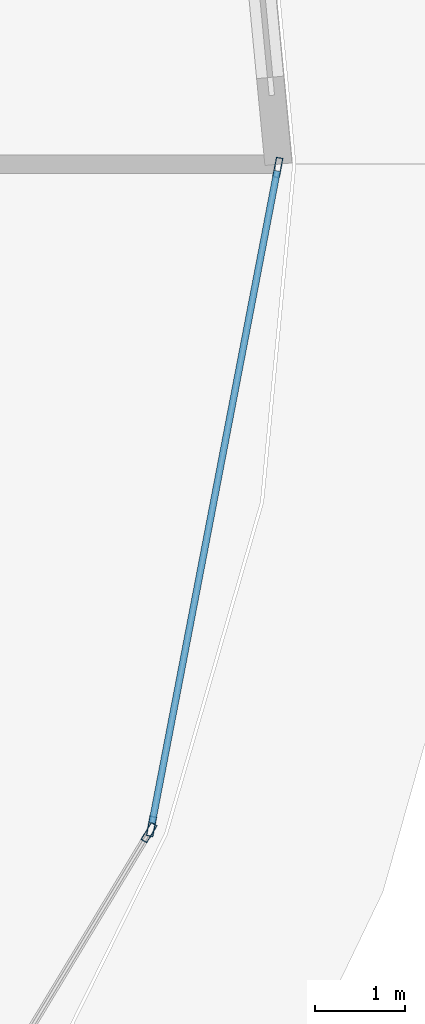
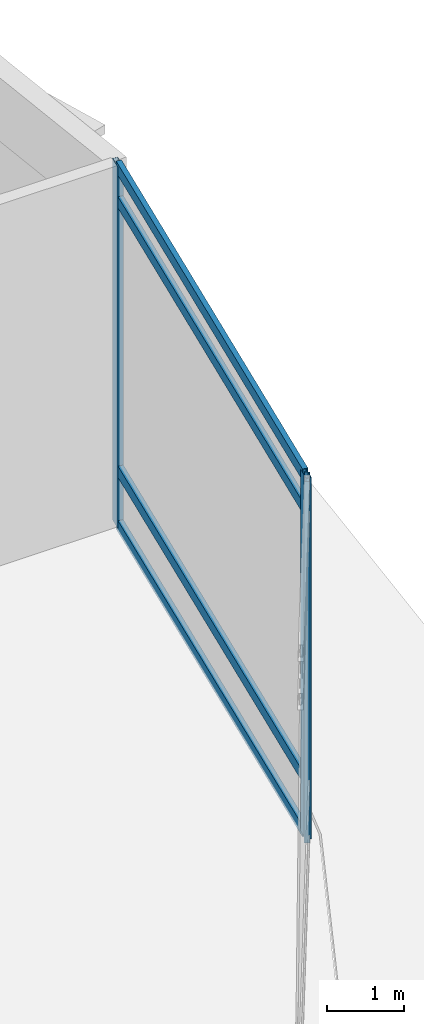
# One storey, part 24 of 40: 7 members, 2 elements without a shape of their own.
"""IFC4 building model written with IfcOpenShell, lengths in metres."""

from ifc_helpers import new_model, si_unit, direction, frame, origin, origin_2d, place, context, subcontext, project, spatial, hollow_rectangle, extrude, material, layer, layer_set, material_profile, profile_set, type_object, element, aggregate, save


model = new_model("IFC4")

# Units and contexts
model_context = context("Model", 3, precision=1e-05, world=origin(), true_north=direction((0.0, 1.0)))
body_context = subcontext(model_context, "Body", "Model", "MODEL_VIEW")
ifc_project = project(units=[si_unit("LENGTHUNIT", "METRE"), si_unit("AREAUNIT", "SQUARE_METRE"), si_unit("VOLUMEUNIT", "CUBIC_METRE"), si_unit("PLANEANGLEUNIT", "RADIAN"), si_unit("MASSUNIT", "GRAM", prefix="KILO")], contexts=[model_context])

# Site, building, storey
site_placement = place(None, origin())
site = spatial("IfcSite", under=ifc_project, at=site_placement, CompositionType="ELEMENT")
building_placement = place(site_placement, origin())
building = spatial("IfcBuilding", under=site, at=building_placement, Name="Nuhasar Tower", CompositionType="ELEMENT")
storey_placement = place(building_placement, origin())
storey = spatial("IfcBuildingStorey", under=building, at=storey_placement, Name="L00", CompositionType="ELEMENT", Elevation=0.0)

# Curtain wall, member
ifc_material = material(Name="Aluminium 6063-T6", Category="aluminium")
ifc_layer = layer(ifc_material, 0.219970703125)
ifc_layer_set = layer_set([ifc_layer], Name="Aluminium 6063-T6")
curtain_wall_type = type_object("IfcCurtainWallType", Name="CW-PODIUM", PredefinedType="NOTDEFINED", material=ifc_layer_set)
curtain_wall_1_placement = place(storey_placement, origin())
curtain_wall_1 = element("IfcCurtainWall", 1, at=curtain_wall_1_placement, inside=storey, type_object=curtain_wall_type, Name="L00 Podium Curtain Wall Bay 23", PredefinedType="NOTDEFINED")
ifc_material_profile_1 = material_profile(ifc_material, hollow_rectangle(XDim=0.074951171875, YDim=0.219970703125, WallThickness=0.0048828125, at=origin_2d()), Name="CWM-1")
ifc_profile_set_1 = profile_set([ifc_material_profile_1], Name="Aluminium 6063-T6")
member_type_1 = type_object("IfcMemberType", Name="CW-MUL-S1", PredefinedType="MULLION", material=ifc_profile_set_1)
member_1_placement = place(storey_placement, frame((79.008544921875, 19.406982421875, 0.0), z_axis=(0.0, 0.0, 1.0), x_axis=(-0.856135297317, 0.516751732158, 0.0)))
member_1 = element("IfcMember", 2, at=member_1_placement, type_object=member_type_1, Name="CW-P1 mullion 2", PredefinedType="MULLION", context=body_context, shape_type="SweptSolid", body=[
    extrude(hollow_rectangle(XDim=0.074951171875, YDim=0.219970703125, WallThickness=0.0048828125, at=origin_2d()), origin(), (0.0, 0.0, 1.0), 5.699951171875),
])
aggregate(curtain_wall_1, [member_1])

# Curtain wall, members
curtain_wall_2_placement = place(storey_placement, origin())
curtain_wall_2 = element("IfcCurtainWall", 3, at=curtain_wall_2_placement, inside=storey, type_object=curtain_wall_type, Name="L00 Podium Curtain Wall Bay 24", PredefinedType="NOTDEFINED")
member_2_placement = place(storey_placement, frame((79.03515625, 19.475830078125, 0.0), z_axis=(0.0, 0.0, 1.0), x_axis=(-0.982094840829, 0.18838716415, 0.0)))
member_2 = element("IfcMember", 4, at=member_2_placement, type_object=member_type_1, Name="CW-P1 mullion 1", PredefinedType="MULLION", context=body_context, shape_type="SweptSolid", body=[
    extrude(hollow_rectangle(XDim=0.074951171875, YDim=0.219970703125, WallThickness=0.0048828125, at=origin_2d()), origin(), (0.0, 0.0, 1.0), 5.699951171875),
])
member_3_placement = place(storey_placement, frame((80.432861328125, 26.76318359375, 0.0), z_axis=(0.0, 0.0, 1.0), x_axis=(-0.982094840829, 0.18838716415, 0.0)))
member_3 = element("IfcMember", 5, at=member_3_placement, type_object=member_type_1, Name="CW-P1 mullion 2", PredefinedType="MULLION", context=body_context, shape_type="SweptSolid", body=[
    extrude(hollow_rectangle(XDim=0.074951171875, YDim=0.219970703125, WallThickness=0.0048828125, at=origin_2d()), origin(), (0.0, 0.0, 1.0), 5.699951171875),
])
ifc_material_profile_2 = material_profile(ifc_material, hollow_rectangle(XDim=0.074951171875, YDim=0.179931640625, WallThickness=0.00439453125, at=origin_2d()), Name="CWT-1")
ifc_profile_set_2 = profile_set([ifc_material_profile_2], Name="Aluminium 6063-T6")
member_type_2 = type_object("IfcMemberType", Name="CW-TRN-S1", PredefinedType="USERDEFINED", material=ifc_profile_set_2)
member_4_placement = place(storey_placement, frame((79.042236328125, 19.5126953125, 0.03759765625), z_axis=(0.188362874909, 0.982099499723, 0.0), x_axis=(-0.982099499723, 0.188362874909, 0.0)))
member_4 = element("IfcMember", 6, at=member_4_placement, type_object=member_type_2, Name="CW-P1 transom 1.1", ObjectType="TRANSOM", PredefinedType="USERDEFINED", context=body_context, shape_type="SweptSolid", body=[
    extrude(hollow_rectangle(XDim=0.074951171875, YDim=0.179931640625, WallThickness=0.00439453125, at=origin_2d()), origin(), (0.0, 0.0, 1.0), 7.34521484375),
])
member_5_placement = place(storey_placement, frame((79.042236328125, 19.5126953125, 0.89990234375), z_axis=(0.188362874909, 0.982099499723, 0.0), x_axis=(-0.982099499723, 0.188362874909, 0.0)))
member_5 = element("IfcMember", 7, at=member_5_placement, type_object=member_type_2, Name="CW-P1 transom 1.2", ObjectType="TRANSOM", PredefinedType="USERDEFINED", context=body_context, shape_type="SweptSolid", body=[
    extrude(hollow_rectangle(XDim=0.074951171875, YDim=0.179931640625, WallThickness=0.00439453125, at=origin_2d()), origin(), (0.0, 0.0, 1.0), 7.34521484375),
])
member_6_placement = place(storey_placement, frame((79.042236328125, 19.5126953125, 5.14990234375), z_axis=(0.188362874909, 0.982099499723, 0.0), x_axis=(-0.982099499723, 0.188362874909, 0.0)))
member_6 = element("IfcMember", 8, at=member_6_placement, type_object=member_type_2, Name="CW-P1 transom 1.3", ObjectType="TRANSOM", PredefinedType="USERDEFINED", context=body_context, shape_type="SweptSolid", body=[
    extrude(hollow_rectangle(XDim=0.074951171875, YDim=0.179931640625, WallThickness=0.00439453125, at=origin_2d()), origin(), (0.0, 0.0, 1.0), 7.34521484375),
])
member_7_placement = place(storey_placement, frame((79.042236328125, 19.5126953125, 5.66259765625), z_axis=(0.188362874909, 0.982099499723, 0.0), x_axis=(-0.982099499723, 0.188362874909, 0.0)))
member_7 = element("IfcMember", 9, at=member_7_placement, type_object=member_type_2, Name="CW-P1 transom 1.4", ObjectType="TRANSOM", PredefinedType="USERDEFINED", context=body_context, shape_type="SweptSolid", body=[
    extrude(hollow_rectangle(XDim=0.074951171875, YDim=0.179931640625, WallThickness=0.00439453125, at=origin_2d()), origin(), (0.0, 0.0, 1.0), 7.34521484375),
])
aggregate(curtain_wall_2, [member_2, member_3, member_4, member_5, member_6, member_7])

save(model, "model.ifc")
